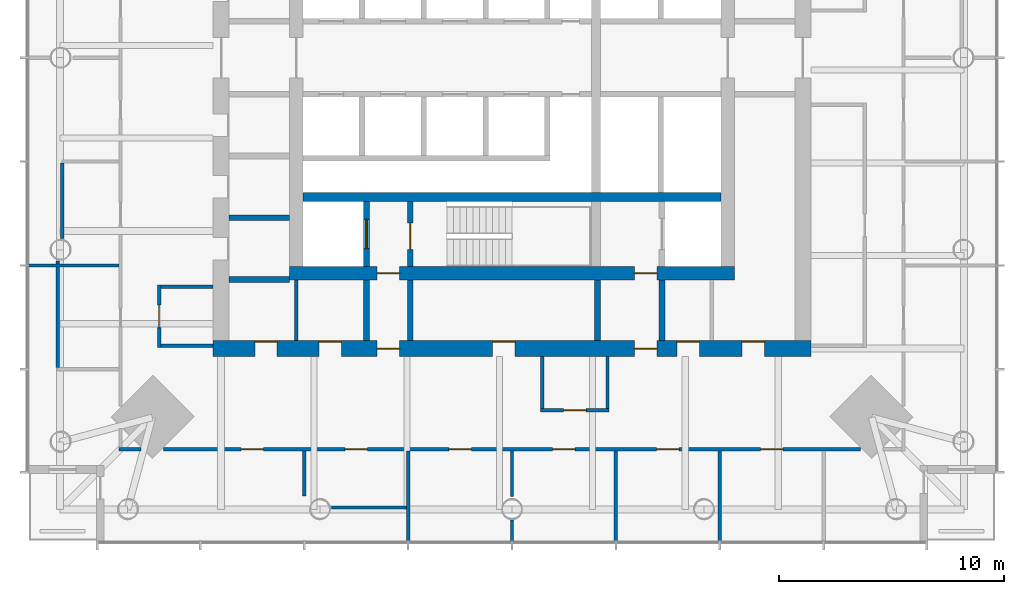
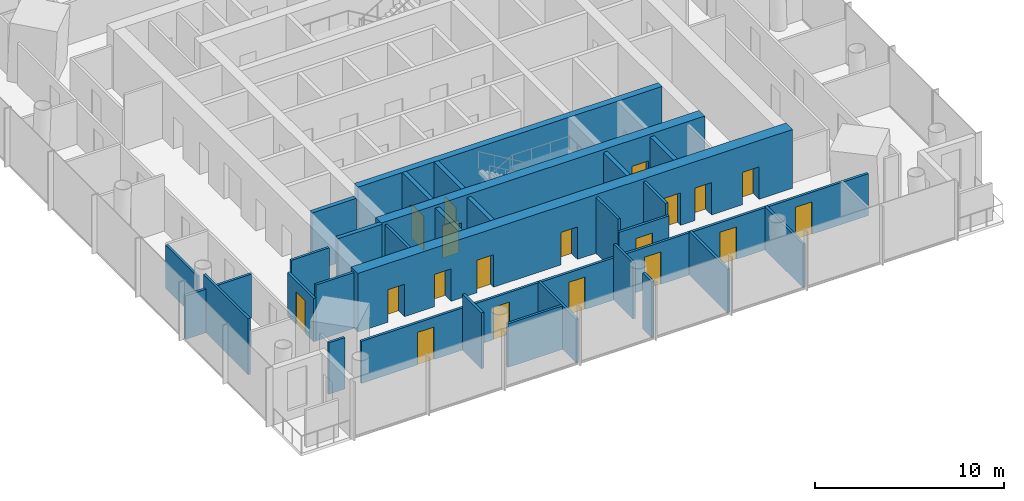
# One storey, part 4 of 9: 30 walls, 19 doors, 19 openings.
"""IFC4 building model written with IfcOpenShell, lengths in metres."""

import ifcopenshell
import ifcopenshell.guid

model = None  # the IFC model being written
_history = None  # IfcOwnerHistory: only IFC2X3 demands one
_inside = {}  # id of a spatial element -> (the spatial element, [elements in it])
_under = {}  # id of a project, library or spatial element -> (it, [spatial elements below it])
_declared = {}  # id of a project -> (the project, [libraries it declares])
_typed = {}  # id of a type object -> (the type object, [elements of that type])
_made_of = {}  # id of a material, layer set ... -> (it, [elements and type objects made of it])


def new_model(schema):
    """Start an empty IFC model of exactly this schema.

    Asked for "IFC4X3", IfcOpenShell would pick the latest addendum, in which some entities
    have other attributes; the version numbers below select the first issue.
    IFC2X3 requires an IfcOwnerHistory on every rooted entity: one is made here for all.
    """
    global model, _history
    if schema == "IFC4X3":
        model = ifcopenshell.file(schema_version=(4, 3, 0, 0))
    else:
        model = ifcopenshell.file(schema=schema)
    _inside.clear()
    _under.clear()
    _declared.clear()
    _typed.clear()
    _made_of.clear()
    _history = None
    if model.schema == "IFC2X3":
        org = make("IfcOrganization", Name="unknown")
        user = make(
            "IfcPersonAndOrganization",
            ThePerson=make("IfcPerson", FamilyName="unknown"),
            TheOrganization=org,
        )
        app = make(
            "IfcApplication",
            ApplicationDeveloper=org,
            Version="unknown",
            ApplicationFullName="unknown",
            ApplicationIdentifier="unknown",
        )
        _history = make(
            "IfcOwnerHistory",
            OwningUser=user,
            OwningApplication=app,
            ChangeAction="ADDED",
            CreationDate=0,
        )
    return model


def make(cls, **values):
    """One entity of the class cls with the attributes given. An attribute that is None is left unset."""
    return model.create_entity(
        cls, **{name: value for name, value in values.items() if value is not None}
    )


def rooted(cls, **values):
    """An entity with a GlobalId (a new one), such as an element, a storey or a relation."""
    return make(cls, GlobalId=ifcopenshell.guid.new(), OwnerHistory=_history, **values)


def si_unit(unit_type, name, prefix=None):
    """IfcSIUnit, for example si_unit("LENGTHUNIT", "METRE", prefix="MILLI")."""
    return make("IfcSIUnit", UnitType=unit_type, Prefix=prefix, Name=name)


def assignment(units):
    """IfcUnitAssignment: the units of a project."""
    return None if units is None else make("IfcUnitAssignment", Units=units)


def point(xyz):
    """IfcCartesianPoint."""
    return None if xyz is None else make("IfcCartesianPoint", Coordinates=xyz)


def direction(xyz):
    """IfcDirection."""
    return None if xyz is None else make("IfcDirection", DirectionRatios=xyz)


def frame(location, z_axis=None, x_axis=None):
    """IfcAxis2Placement3D, a coordinate frame: its origin and axes. An axis left out is left unset."""
    return make(
        "IfcAxis2Placement3D",
        Location=point(location),
        Axis=direction(z_axis),
        RefDirection=direction(x_axis),
    )


def frame_2d(location, x_axis=None):
    """IfcAxis2Placement2D, a coordinate frame in the plane: its origin and x axis."""
    return make(
        "IfcAxis2Placement2D", Location=point(location), RefDirection=direction(x_axis)
    )


def origin():
    """The frame at (0, 0, 0) with its axes left unset."""
    return frame((0.0, 0.0, 0.0))


def place(relative_to, where):
    """IfcLocalPlacement: puts the frame where relative to a parent placement (None: the world)."""
    return make(
        "IfcLocalPlacement", PlacementRelTo=relative_to, RelativePlacement=where
    )


def context(
    kind, dimensions, precision=None, world=None, true_north=None, identifier=None
):
    """IfcGeometricRepresentationContext, for example the 3D "Model" context."""
    return make(
        "IfcGeometricRepresentationContext",
        ContextIdentifier=identifier,
        ContextType=kind,
        CoordinateSpaceDimension=dimensions,
        Precision=precision,
        WorldCoordinateSystem=world,
        TrueNorth=true_north,
    )


def subcontext(parent, identifier, kind, view, scale=None):
    """IfcGeometricRepresentationSubContext, for example "Body" below "Model"."""
    return make(
        "IfcGeometricRepresentationSubContext",
        ContextIdentifier=identifier,
        ContextType=kind,
        ParentContext=parent,
        TargetScale=scale,
        TargetView=view,
    )


def project(units=None, contexts=None):
    """IfcProject with its units and contexts."""
    return rooted(
        "IfcProject",
        Name="project",
        RepresentationContexts=contexts,
        UnitsInContext=assignment(units),
    )


def spatial(cls, under=None, at=None, **own):
    """A site, building, storey or space (cls), placed at a placement, below another one or the project."""
    s = rooted(cls, ObjectPlacement=at, **own)
    if under is not None:
        _under.setdefault(under.id(), (under, []))[1].append(s)
    return s


def profile(cls, at=None, kind="AREA", **sizes):
    """A parametric profile (cls). Its sizes go by their IFC names, for example OverallWidth=200.0."""
    return make(cls, ProfileType=kind, Position=at, **sizes)


def rectangle(**sizes):
    """IfcRectangleProfileDef."""
    return profile("IfcRectangleProfileDef", **sizes)


def extrude(swept, where, along, depth):
    """IfcExtrudedAreaSolid: the profile swept, set in the frame where, extruded along a direction by depth."""
    return make(
        "IfcExtrudedAreaSolid",
        SweptArea=swept,
        Position=where,
        ExtrudedDirection=direction(along),
        Depth=depth,
    )


def shape(context_of_items, identifier, shape_type, items):
    """IfcShapeRepresentation: the items that make up one representation, for example the "Body"."""
    return make(
        "IfcShapeRepresentation",
        ContextOfItems=context_of_items,
        RepresentationIdentifier=identifier,
        RepresentationType=shape_type,
        Items=items,
    )


def material(Name=None, Category=None):
    """IfcMaterial."""
    return make("IfcMaterial", Name=Name, Category=Category)


def layer(
    of_material, thickness, ventilated=None, Name=None, Category=None, Priority=None
):
    """IfcMaterialLayer: one layer of a wall or slab, of a material (None: an air gap)."""
    return make(
        "IfcMaterialLayer",
        Material=of_material,
        LayerThickness=thickness,
        IsVentilated=ventilated,
        Name=Name,
        Category=Category,
        Priority=Priority,
    )


def layer_set(layers, Name=None):
    """IfcMaterialLayerSet."""
    return make("IfcMaterialLayerSet", MaterialLayers=layers, LayerSetName=Name)


def made_of(thing, what):
    """Note that an element or type object is made of a material, layer set ...; save() writes the relation."""
    if what is not None:
        _made_of.setdefault(what.id(), (what, []))[1].append(thing)
    return thing


def type_object(cls, material=None, **own):
    """A type object (cls), such as IfcWallType, which elements share."""
    return made_of(rooted(cls, **own), material)


def element(
    cls,
    number,
    at=None,
    inside=None,
    cuts=None,
    type_object=None,
    material=None,
    context=None,
    identifier="Body",
    shape_type=None,
    held_by="IfcProductDefinitionShape",
    body=None,
    shapes=None,
    **own,
):
    """One element of the class cls, such as IfcWall. Its Tag is "e" and its number.

    at: its placement. inside: the storey or other place that contains it. cuts: it is an
    opening in that element (IfcRelVoidsElement). A single representation is given by context,
    identifier, shape_type and body (its items); several are given by shapes. held_by: the class
    of the entity that holds the representations. save() writes the other relations.
    """
    e = rooted(cls, Tag="e%d" % number, ObjectPlacement=at, **own)
    if body is not None:
        shapes = [shape(context, identifier, shape_type, body)]
    if shapes is not None:
        e.Representation = make(held_by, Representations=shapes)
    if inside is not None:
        _inside.setdefault(inside.id(), (inside, []))[1].append(e)
    if cuts is not None:
        rooted(
            "IfcRelVoidsElement", RelatingBuildingElement=cuts, RelatedOpeningElement=e
        )
    if type_object is not None:
        _typed.setdefault(type_object.id(), (type_object, []))[1].append(e)
    return made_of(e, material)


def fill(opening, filler):
    """IfcRelFillsElement: the door or window that sits in an opening."""
    return rooted(
        "IfcRelFillsElement",
        RelatingOpeningElement=opening,
        RelatedBuildingElement=filler,
    )


def aggregate(whole, parts):
    """IfcRelAggregates: a whole, such as a stair, and the parts it consists of."""
    return rooted("IfcRelAggregates", RelatingObject=whole, RelatedObjects=parts)


def save(model, path):
    """Write the relations noted so far, then the file.

    IfcRelAggregates (storeys below a building ...), IfcRelContainedInSpatialStructure (elements
    in a storey), IfcRelDefinesByType, IfcRelAssociatesMaterial and IfcRelDeclares: one each for
    every whole, place, type object, material and project.
    """
    for whole, parts in _under.values():
        aggregate(whole, parts)
    for where, things in _inside.values():
        rooted(
            "IfcRelContainedInSpatialStructure",
            RelatedElements=things,
            RelatingStructure=where,
        )
    for kind, things in _typed.values():
        rooted("IfcRelDefinesByType", RelatedObjects=things, RelatingType=kind)
    for what, things in _made_of.values():
        rooted("IfcRelAssociatesMaterial", RelatedObjects=things, RelatingMaterial=what)
    for by, libraries in _declared.values():
        rooted("IfcRelDeclares", RelatingContext=by, RelatedDefinitions=libraries)
    model.write(path)


model = new_model("IFC4")

# Units and contexts
model_context = context("Model", 3, precision=1e-05, world=origin(), true_north=direction((0.0, 1.0)))
body_context = subcontext(model_context, "Body", "Model", "MODEL_VIEW")
ifc_project = project(units=[si_unit("LENGTHUNIT", "METRE"), si_unit("AREAUNIT", "SQUARE_METRE"), si_unit("VOLUMEUNIT", "CUBIC_METRE"), si_unit("PLANEANGLEUNIT", "RADIAN"), si_unit("MASSUNIT", "GRAM", prefix="KILO")], contexts=[model_context])

# Site, building, storey
site_placement = place(None, origin())
site = spatial("IfcSite", under=ifc_project, at=site_placement, CompositionType="ELEMENT")
building_placement = place(site_placement, origin())
building = spatial("IfcBuilding", under=site, at=building_placement, Name="Ostroluk Exchange", CompositionType="ELEMENT")
storey_placement = place(building_placement, frame((0.0, 0.0, 142.60009765625)))
storey = spatial("IfcBuildingStorey", under=building, at=storey_placement, Name="L36", CompositionType="ELEMENT", Elevation=142.60009765625)

# Walls
ifc_material_1 = material(Name="Concrete blockwork", Category="masonry")
ifc_layer_1 = layer(ifc_material_1, 0.14990234375)
ifc_layer_set_1 = layer_set([ifc_layer_1], Name="Blockwork plant room wall 150")
wall_type_1 = type_object("IfcWallType", Name="Blockwork plant room wall 150", PredefinedType="SOLIDWALL", material=ifc_layer_set_1)
wall_1_placement = place(storey_placement, frame((35.39990234375, 33.39990234375, 0.0), z_axis=(0.0, 0.0, 1.0), x_axis=(0.0, 1.0, 0.0)))
element("IfcWall", 1, at=wall_1_placement, inside=storey, type_object=wall_type_1, Name="Core room wall", PredefinedType="SOLIDWALL", context=body_context, shape_type="SweptSolid", body=[
    extrude(rectangle(XDim=2.7001953125, YDim=0.14990234375, at=frame_2d((1.35009765625, 0.0))), origin(), (0.0, 0.0, 1.0), 3.619873046875),
])
ifc_material_2 = material(Name="Concrete blockwork", Category="masonry")
ifc_layer_2 = layer(ifc_material_2, 0.25)
ifc_layer_set_2 = layer_set([ifc_layer_2], Name="Blockwork stair enclosure wall 250")
wall_type_2 = type_object("IfcWallType", Name="Blockwork stair enclosure wall 250", PredefinedType="SOLIDWALL", material=ifc_layer_set_2)
for number, where, z_axis, x_axis, name in (
    (2, (38.52490234375, 33.39990234375, 0.0), (0.0, 0.0, 1.0), (0.0, 1.0, 0.0), "Fire lobby enclosure wall"),
    (3, (40.47509765625, 33.39990234375, 0.0), (0.0, 0.0, 1.0), (0.0, 1.0, 0.0), "Fire lobby enclosure wall"),
    (4, (48.804931640625, 33.39990234375, 0.0), (0.0, 0.0, 1.0), (0.0, 1.0, 0.0), "Service lobby enclosure wall"),
    (5, (51.675048828125, 33.39990234375, 0.0), (0.0, 0.0, 1.0), (0.0, 1.0, 0.0), "Service lobby enclosure wall"),
):
    element("IfcWall", number, at=place(storey_placement, frame(where, z_axis=z_axis, x_axis=x_axis)), inside=storey, type_object=wall_type_2, Name=name, PredefinedType="SOLIDWALL", context=body_context, shape_type="SweptSolid", body=[
        extrude(rectangle(XDim=2.7001953125, YDim=0.25, at=frame_2d((1.35009765625, 0.0))), origin(), (0.0, 0.0, 1.0), 3.619873046875),
    ])
ifc_material_3 = material(Name="Concrete C50/60", Category="concrete")
ifc_layer_3 = layer(ifc_material_3, 0.39990234375)
ifc_layer_set_3 = layer_set([ifc_layer_3], Name="Core cross wall 400 C50/60")
wall_type_3 = type_object("IfcWallType", Name="Core cross wall 400 C50/60", PredefinedType="SHEAR", material=ifc_layer_set_3)
wall_2_placement = place(storey_placement, frame((35.699951171875, 39.800048828125, 0.0), z_axis=(0.0, 0.0, 1.0), x_axis=(1.0, 0.0, 0.0)))
element("IfcWall", 6, at=wall_2_placement, inside=storey, type_object=wall_type_3, Name="T1 core wall XS", PredefinedType="SHEAR", context=body_context, shape_type="SweptSolid", body=[
    extrude(rectangle(XDim=18.60009765625, YDim=0.39990234375, at=frame_2d((9.300048828125, 0.0))), origin(), (0.0, 0.0, 1.0), 3.7998046875),
])

# Wall, opening, door
ifc_material_4 = material(Name="Concrete C40/50", Category="concrete")
ifc_layer_4 = layer(ifc_material_4, 0.25)
ifc_layer_set_4 = layer_set([ifc_layer_4], Name="Core shaft wall 250")
wall_type_4 = type_object("IfcWallType", Name="Core shaft wall 250", PredefinedType="SHEAR", material=ifc_layer_set_4)
wall_3_placement = place(storey_placement, frame((38.52490234375, 36.699951171875, 0.0), z_axis=(0.0, 0.0, 1.0), x_axis=(0.0, 1.0, 0.0)))
wall_3 = element("IfcWall", 7, at=wall_3_placement, inside=storey, type_object=wall_type_4, Name="Firefighting lift shaft wall", PredefinedType="SHEAR", context=body_context, shape_type="SweptSolid", body=[
    extrude(rectangle(XDim=2.900146484375, YDim=0.25, at=frame_2d((1.4501953125, 0.0))), origin(), (0.0, 0.0, 1.0), 3.7998046875),
])
opening_1_placement = place(wall_3_placement, frame((0.800048828125, 0.0, 0.0)))
opening_1 = element("IfcOpeningElement", 8, at=opening_1_placement, cuts=wall_3, Name="Opening LD2", PredefinedType="OPENING", context=body_context, shape_type="SweptSolid", body=[
    extrude(rectangle(XDim=1.300048828125, YDim=2.199951171875, at=frame_2d((0.64990234375, 1.10009765625))), frame((0.0, 0.135009765625, 0.0), z_axis=(0.0, -1.0, 0.0), x_axis=(1.0, 0.0, 0.0)), (0.0, 0.0, 1.0), 0.27001953125),
])
ifc_material_5 = material(Name="Stainless steel", Category="steel")
door_type_1 = type_object("IfcDoorType", Name="Lift landing door E 60 1300 x 2200", OperationType="DOUBLE_DOOR_SLIDING", PredefinedType="DOOR", material=ifc_material_5)
door_1_placement = place(opening_1_placement, origin())
door_1 = element("IfcDoor", 9, at=door_1_placement, inside=storey, type_object=door_type_1, Name="Lift FL1 landing door", OperationType="DOUBLE_DOOR_SLIDING", OverallHeight=2.199951171875, OverallWidth=1.300048828125, PredefinedType="DOOR", context=body_context, shape_type="SweptSolid", body=[
    extrude(rectangle(XDim=1.300048828125, YDim=2.199951171875, at=frame_2d((0.64990234375, 1.10009765625))), frame((0.0, 0.02490234375, 0.0), z_axis=(0.0, -1.0, 0.0), x_axis=(1.0, 0.0, 0.0)), (0.0, 0.0, 1.0), 0.050048828125),
])
fill(opening_1, door_1)

wall_4_placement = place(storey_placement, frame((40.47509765625, 36.699951171875, 0.0), z_axis=(0.0, 0.0, 1.0), x_axis=(0.0, 1.0, 0.0)))
wall_4 = element("IfcWall", 10, at=wall_4_placement, inside=storey, type_object=wall_type_4, Name="Stair shaft wall", PredefinedType="SHEAR", context=body_context, shape_type="SweptSolid", body=[
    extrude(rectangle(XDim=2.900146484375, YDim=0.25, at=frame_2d((1.4501953125, 0.0))), origin(), (0.0, 0.0, 1.0), 3.7998046875),
])
opening_2_placement = place(wall_4_placement, frame((0.75, 0.0, 0.0)))
opening_2 = element("IfcOpeningElement", 11, at=opening_2_placement, cuts=wall_4, Name="Opening FD60S", PredefinedType="OPENING", context=body_context, shape_type="SweptSolid", body=[
    extrude(rectangle(XDim=1.199951171875, YDim=2.10009765625, at=frame_2d((0.60009765625, 1.050048828125))), frame((0.0, 0.135009765625, 0.0), z_axis=(0.0, -1.0, 0.0), x_axis=(1.0, 0.0, 0.0)), (0.0, 0.0, 1.0), 0.27001953125),
])
ifc_material_6 = material(Name="Steel", Category="steel")
door_type_2 = type_object("IfcDoorType", Name="Stair door EI 60 1200 x 2100", OperationType="SINGLE_SWING_LEFT", PredefinedType="DOOR", material=ifc_material_6)
door_2_placement = place(opening_2_placement, origin())
door_2 = element("IfcDoor", 12, at=door_2_placement, inside=storey, type_object=door_type_2, Name="Stair T1-S1 door", OperationType="SINGLE_SWING_LEFT", OverallHeight=2.10009765625, OverallWidth=1.199951171875, PredefinedType="DOOR", context=body_context, shape_type="SweptSolid", body=[
    extrude(rectangle(XDim=1.199951171875, YDim=2.10009765625, at=frame_2d((0.60009765625, 1.050048828125))), frame((0.0, 0.02490234375, 0.0), z_axis=(0.0, -1.0, 0.0), x_axis=(1.0, 0.0, 0.0)), (0.0, 0.0, 1.0), 0.050048828125),
])
fill(opening_2, door_2)

# Walls
for number, where, z_axis, x_axis, name in (
    (13, (32.39990234375, 36.125, 0.0), (0.0, 0.0, 1.0), (1.0, 0.0, 0.0), "Lift shaft wall"),
    (14, (32.39990234375, 38.875, 0.0), (0.0, 0.0, 1.0), (1.0, 0.0, 0.0), "Lift shaft wall"),
):
    element("IfcWall", number, at=place(storey_placement, frame(where, z_axis=z_axis, x_axis=x_axis)), inside=storey, type_object=wall_type_4, Name=name, PredefinedType="SHEAR", context=body_context, shape_type="SweptSolid", body=[
        extrude(rectangle(XDim=2.7001953125, YDim=0.25, at=frame_2d((1.35009765625, 0.0))), origin(), (0.0, 0.0, 1.0), 3.7998046875),
    ])

# Wall, openings, doors
ifc_material_7 = material(Name="Concrete C50/60", Category="concrete")
ifc_layer_5 = layer(ifc_material_7, 0.60009765625)
ifc_layer_set_5 = layer_set([ifc_layer_5], Name="Core wall 600 C50/60")
wall_type_5 = type_object("IfcWallType", Name="Core wall 600 C50/60", PredefinedType="SHEAR", material=ifc_layer_set_5)
wall_5_placement = place(storey_placement, frame((35.10009765625, 36.39990234375, 0.0), z_axis=(0.0, 0.0, 1.0), x_axis=(1.0, 0.0, 0.0)))
wall_5 = element("IfcWall", 15, at=wall_5_placement, inside=storey, type_object=wall_type_5, Name="T1 core wall S", PredefinedType="SHEAR", context=body_context, shape_type="SweptSolid", body=[
    extrude(rectangle(XDim=19.7998046875, YDim=0.60009765625, at=frame_2d((9.89990234375, 0.0))), origin(), (0.0, 0.0, 1.0), 3.7998046875),
])
opening_3_placement = place(wall_5_placement, frame((3.89990234375, 0.0, 0.0)))
opening_3 = element("IfcOpeningElement", 16, at=opening_3_placement, cuts=wall_5, Name="Opening FD60", PredefinedType="OPENING", context=body_context, shape_type="SweptSolid", body=[
    extrude(rectangle(XDim=1.0, YDim=2.10009765625, at=frame_2d((0.5, 1.050048828125))), frame((0.0, 0.31005859375, 0.0), z_axis=(0.0, -1.0, 0.0), x_axis=(1.0, 0.0, 0.0)), (0.0, 0.0, 1.0), 0.6201171875),
])
opening_4_placement = place(wall_5_placement, frame((15.35009765625, 0.0, 0.0)))
opening_4 = element("IfcOpeningElement", 17, at=opening_4_placement, cuts=wall_5, Name="Opening FD60", PredefinedType="OPENING", context=body_context, shape_type="SweptSolid", body=[
    extrude(rectangle(XDim=1.0, YDim=2.10009765625, at=frame_2d((0.5, 1.050048828125))), frame((0.0, 0.31005859375, 0.0), z_axis=(0.0, -1.0, 0.0), x_axis=(1.0, 0.0, 0.0)), (0.0, 0.0, 1.0), 0.6201171875),
])
ifc_material_8 = material(Name="Steel", Category="steel")
door_type_3 = type_object("IfcDoorType", Name="Fire door EI 60 1000 x 2100", OperationType="SINGLE_SWING_LEFT", PredefinedType="DOOR", material=ifc_material_8)
door_3_placement = place(opening_3_placement, origin())
door_3 = element("IfcDoor", 18, at=door_3_placement, inside=storey, type_object=door_type_3, Name="Firefighting lobby door", OperationType="SINGLE_SWING_LEFT", OverallHeight=2.10009765625, OverallWidth=1.0, PredefinedType="DOOR", context=body_context, shape_type="SweptSolid", body=[
    extrude(rectangle(XDim=1.0, YDim=2.10009765625, at=frame_2d((0.5, 1.050048828125))), frame((0.0, 0.02490234375, 0.0), z_axis=(0.0, -1.0, 0.0), x_axis=(1.0, 0.0, 0.0)), (0.0, 0.0, 1.0), 0.050048828125),
])
fill(opening_3, door_3)
door_4_placement = place(opening_4_placement, origin())
door_4 = element("IfcDoor", 19, at=door_4_placement, inside=storey, type_object=door_type_3, Name="Service lobby door", OperationType="SINGLE_SWING_RIGHT", OverallHeight=2.10009765625, OverallWidth=1.0, PredefinedType="DOOR", context=body_context, shape_type="SweptSolid", body=[
    extrude(rectangle(XDim=1.0, YDim=2.10009765625, at=frame_2d((0.5, 1.050048828125))), frame((0.0, 0.02490234375, 0.0), z_axis=(0.0, -1.0, 0.0), x_axis=(1.0, 0.0, 0.0)), (0.0, 0.0, 1.0), 0.050048828125),
])
fill(opening_4, door_4)

ifc_material_9 = material(Name="Concrete C50/60", Category="concrete")
ifc_layer_6 = layer(ifc_material_9, 0.699951171875)
ifc_layer_set_6 = layer_set([ifc_layer_6], Name="Core wall 700 C50/60")
wall_type_6 = type_object("IfcWallType", Name="Core wall 700 C50/60", PredefinedType="SHEAR", material=ifc_layer_set_6)
wall_6_placement = place(storey_placement, frame((31.699951171875, 33.050048828125, 0.0), z_axis=(0.0, 0.0, 1.0), x_axis=(1.0, 0.0, 0.0)))
wall_6 = element("IfcWall", 20, at=wall_6_placement, inside=storey, type_object=wall_type_6, Name="T1 core wall RS", PredefinedType="SHEAR", context=body_context, shape_type="SweptSolid", body=[
    extrude(rectangle(XDim=26.60009765625, YDim=0.699951171875, at=frame_2d((13.300048828125, 0.0))), origin(), (0.0, 0.0, 1.0), 3.7998046875),
])
opening_5_placement = place(wall_6_placement, frame((7.300048828125, 0.0, 0.0)))
opening_5 = element("IfcOpeningElement", 21, at=opening_5_placement, cuts=wall_6, Name="Opening FD60", PredefinedType="OPENING", context=body_context, shape_type="SweptSolid", body=[
    extrude(rectangle(XDim=1.0, YDim=2.10009765625, at=frame_2d((0.5, 1.050048828125))), frame((0.0, 0.35986328125, 0.0), z_axis=(0.0, -1.0, 0.0), x_axis=(1.0, 0.0, 0.0)), (0.0, 0.0, 1.0), 0.719970703125),
])
opening_6_placement = place(wall_6_placement, frame((18.75, 0.0, 0.0)))
opening_6 = element("IfcOpeningElement", 22, at=opening_6_placement, cuts=wall_6, Name="Opening FD60", PredefinedType="OPENING", context=body_context, shape_type="SweptSolid", body=[
    extrude(rectangle(XDim=1.0, YDim=2.10009765625, at=frame_2d((0.5, 1.050048828125))), frame((0.0, 0.35986328125, 0.0), z_axis=(0.0, -1.0, 0.0), x_axis=(1.0, 0.0, 0.0)), (0.0, 0.0, 1.0), 0.719970703125),
])
opening_7_placement = place(wall_6_placement, frame((1.85009765625, 0.0, 0.0)))
opening_7 = element("IfcOpeningElement", 23, at=opening_7_placement, cuts=wall_6, Name="Opening FD60", PredefinedType="OPENING", context=body_context, shape_type="SweptSolid", body=[
    extrude(rectangle(XDim=1.0, YDim=2.10009765625, at=frame_2d((0.5, 1.050048828125))), frame((0.0, 0.35986328125, 0.0), z_axis=(0.0, -1.0, 0.0), x_axis=(1.0, 0.0, 0.0)), (0.0, 0.0, 1.0), 0.719970703125),
])
opening_8_placement = place(wall_6_placement, frame((4.699951171875, 0.0, 0.0)))
opening_8 = element("IfcOpeningElement", 24, at=opening_8_placement, cuts=wall_6, Name="Opening FD60", PredefinedType="OPENING", context=body_context, shape_type="SweptSolid", body=[
    extrude(rectangle(XDim=1.0, YDim=2.10009765625, at=frame_2d((0.5, 1.050048828125))), frame((0.0, 0.35986328125, 0.0), z_axis=(0.0, -1.0, 0.0), x_axis=(1.0, 0.0, 0.0)), (0.0, 0.0, 1.0), 0.719970703125),
])
opening_9_placement = place(wall_6_placement, frame((12.43994140625, 0.0, 0.0)))
opening_9 = element("IfcOpeningElement", 25, at=opening_9_placement, cuts=wall_6, Name="Opening FD60", PredefinedType="OPENING", context=body_context, shape_type="SweptSolid", body=[
    extrude(rectangle(XDim=1.0, YDim=2.10009765625, at=frame_2d((0.5, 1.050048828125))), frame((0.0, 0.35986328125, 0.0), z_axis=(0.0, -1.0, 0.0), x_axis=(1.0, 0.0, 0.0)), (0.0, 0.0, 1.0), 0.719970703125),
])
opening_10_placement = place(wall_6_placement, frame((20.64404296875, 0.0, 0.0)))
opening_10 = element("IfcOpeningElement", 26, at=opening_10_placement, cuts=wall_6, Name="Opening FD60", PredefinedType="OPENING", context=body_context, shape_type="SweptSolid", body=[
    extrude(rectangle(XDim=1.0, YDim=2.10009765625, at=frame_2d((0.5, 1.050048828125))), frame((0.0, 0.35986328125, 0.0), z_axis=(0.0, -1.0, 0.0), x_axis=(1.0, 0.0, 0.0)), (0.0, 0.0, 1.0), 0.719970703125),
])
opening_11_placement = place(wall_6_placement, frame((23.5439453125, 0.0, 0.0)))
opening_11 = element("IfcOpeningElement", 27, at=opening_11_placement, cuts=wall_6, Name="Opening FD60", PredefinedType="OPENING", context=body_context, shape_type="SweptSolid", body=[
    extrude(rectangle(XDim=1.0, YDim=2.10009765625, at=frame_2d((0.5, 1.050048828125))), frame((0.0, 0.35986328125, 0.0), z_axis=(0.0, -1.0, 0.0), x_axis=(1.0, 0.0, 0.0)), (0.0, 0.0, 1.0), 0.719970703125),
])
door_5_placement = place(opening_5_placement, origin())
door_5 = element("IfcDoor", 28, at=door_5_placement, inside=storey, type_object=door_type_3, Name="Firefighting lobby door", OperationType="SINGLE_SWING_LEFT", OverallHeight=2.10009765625, OverallWidth=1.0, PredefinedType="DOOR", context=body_context, shape_type="SweptSolid", body=[
    extrude(rectangle(XDim=1.0, YDim=2.10009765625, at=frame_2d((0.5, 1.050048828125))), frame((0.0, 0.02490234375, 0.0), z_axis=(0.0, -1.0, 0.0), x_axis=(1.0, 0.0, 0.0)), (0.0, 0.0, 1.0), 0.050048828125),
])
fill(opening_5, door_5)
door_6_placement = place(opening_6_placement, origin())
door_6 = element("IfcDoor", 29, at=door_6_placement, inside=storey, type_object=door_type_3, Name="Service lobby door", OperationType="SINGLE_SWING_RIGHT", OverallHeight=2.10009765625, OverallWidth=1.0, PredefinedType="DOOR", context=body_context, shape_type="SweptSolid", body=[
    extrude(rectangle(XDim=1.0, YDim=2.10009765625, at=frame_2d((0.5, 1.050048828125))), frame((0.0, 0.02490234375, 0.0), z_axis=(0.0, -1.0, 0.0), x_axis=(1.0, 0.0, 0.0)), (0.0, 0.0, 1.0), 0.050048828125),
])
fill(opening_6, door_6)
door_7_placement = place(opening_7_placement, origin())
door_7 = element("IfcDoor", 30, at=door_7_placement, inside=storey, type_object=door_type_3, Name="Archive door", OperationType="SINGLE_SWING_LEFT", OverallHeight=2.10009765625, OverallWidth=1.0, PredefinedType="DOOR", context=body_context, shape_type="SweptSolid", body=[
    extrude(rectangle(XDim=1.0, YDim=2.10009765625, at=frame_2d((0.5, 1.050048828125))), frame((0.0, 0.33984375, 0.0), z_axis=(0.0, -1.0, 0.0), x_axis=(1.0, 0.0, 0.0)), (0.0, 0.0, 1.0), 0.050048828125),
])
fill(opening_7, door_7)
door_8_placement = place(opening_8_placement, origin())
door_8 = element("IfcDoor", 31, at=door_8_placement, inside=storey, type_object=door_type_3, Name="Tenant IT room door", OperationType="SINGLE_SWING_LEFT", OverallHeight=2.10009765625, OverallWidth=1.0, PredefinedType="DOOR", context=body_context, shape_type="SweptSolid", body=[
    extrude(rectangle(XDim=1.0, YDim=2.10009765625, at=frame_2d((0.5, 1.050048828125))), frame((0.0, 0.33984375, 0.0), z_axis=(0.0, -1.0, 0.0), x_axis=(1.0, 0.0, 0.0)), (0.0, 0.0, 1.0), 0.050048828125),
])
fill(opening_8, door_8)
door_9_placement = place(opening_9_placement, origin())
door_9 = element("IfcDoor", 32, at=door_9_placement, inside=storey, type_object=door_type_3, Name="Tea point door", OperationType="SINGLE_SWING_LEFT", OverallHeight=2.10009765625, OverallWidth=1.0, PredefinedType="DOOR", context=body_context, shape_type="SweptSolid", body=[
    extrude(rectangle(XDim=1.0, YDim=2.10009765625, at=frame_2d((0.5, 1.050048828125))), frame((0.0, 0.33984375, 0.0), z_axis=(0.0, -1.0, 0.0), x_axis=(1.0, 0.0, 0.0)), (0.0, 0.0, 1.0), 0.050048828125),
])
fill(opening_9, door_9)
door_10_placement = place(opening_10_placement, origin())
door_10 = element("IfcDoor", 33, at=door_10_placement, inside=storey, type_object=door_type_3, Name="Cleaner's store door", OperationType="SINGLE_SWING_RIGHT", OverallHeight=2.10009765625, OverallWidth=1.0, PredefinedType="DOOR", context=body_context, shape_type="SweptSolid", body=[
    extrude(rectangle(XDim=1.0, YDim=2.10009765625, at=frame_2d((0.5, 1.050048828125))), frame((0.0, 0.33984375, 0.0), z_axis=(0.0, -1.0, 0.0), x_axis=(1.0, 0.0, 0.0)), (0.0, 0.0, 1.0), 0.050048828125),
])
fill(opening_10, door_10)
door_11_placement = place(opening_11_placement, origin())
door_11 = element("IfcDoor", 34, at=door_11_placement, inside=storey, type_object=door_type_3, Name="First aid room door", OperationType="SINGLE_SWING_RIGHT", OverallHeight=2.10009765625, OverallWidth=1.0, PredefinedType="DOOR", context=body_context, shape_type="SweptSolid", body=[
    extrude(rectangle(XDim=1.0, YDim=2.10009765625, at=frame_2d((0.5, 1.050048828125))), frame((0.0, 0.33984375, 0.0), z_axis=(0.0, -1.0, 0.0), x_axis=(1.0, 0.0, 0.0)), (0.0, 0.0, 1.0), 0.050048828125),
])
fill(opening_11, door_11)

# Wall, opening, door
ifc_material_10 = material(Name="Gypsum plasterboard partition", Category="gypsum")
ifc_layer_7 = layer(ifc_material_10, 0.14990234375)
ifc_layer_set_7 = layer_set([ifc_layer_7], Name="Plasterboard partition 150")
wall_type_7 = type_object("IfcWallType", Name="Plasterboard partition 150", PredefinedType="PARTITIONING", material=ifc_layer_set_7)
wall_7_placement = place(storey_placement, frame((29.300048828125, 35.875, 0.0), z_axis=(0.0, 0.0, 1.0), x_axis=(0.0, -1.0, 0.0)))
wall_7 = element("IfcWall", 35, at=wall_7_placement, inside=storey, type_object=wall_type_7, Name="Partition", PredefinedType="PARTITIONING", context=body_context, shape_type="SweptSolid", body=[
    extrude(rectangle(XDim=2.77490234375, YDim=0.14990234375, at=frame_2d((1.387451171875, 0.0))), origin(), (0.0, 0.0, 1.0), 2.805908203125),
])
opening_12_placement = place(wall_7_placement, frame((0.887451171875, 0.0, 0.0)))
opening_12 = element("IfcOpeningElement", 36, at=opening_12_placement, cuts=wall_7, Name="Opening D-03", PredefinedType="OPENING", context=body_context, shape_type="SweptSolid", body=[
    extrude(rectangle(XDim=1.0, YDim=2.10009765625, at=frame_2d((0.5, 1.050048828125))), frame((0.0, 0.0849609375, 0.0), z_axis=(0.0, -1.0, 0.0), x_axis=(1.0, 0.0, 0.0)), (0.0, 0.0, 1.0), 0.169921875),
])
ifc_material_11 = material(Name="Timber", Category="wood")
door_type_4 = type_object("IfcDoorType", Name="Internal door 1000 x 2100", OperationType="SINGLE_SWING_LEFT", PredefinedType="DOOR", material=ifc_material_11)
door_12_placement = place(opening_12_placement, origin())
door_12 = element("IfcDoor", 37, at=door_12_placement, inside=storey, type_object=door_type_4, Name="Meeting room door", OperationType="SINGLE_SWING_RIGHT", OverallHeight=2.10009765625, OverallWidth=1.0, PredefinedType="DOOR", context=body_context, shape_type="SweptSolid", body=[
    extrude(rectangle(XDim=1.0, YDim=2.10009765625, at=frame_2d((0.5, 1.050048828125))), frame((0.0, 0.02490234375, 0.0), z_axis=(0.0, -1.0, 0.0), x_axis=(1.0, 0.0, 0.0)), (0.0, 0.0, 1.0), 0.050048828125),
])
fill(opening_12, door_12)

# Walls
for number, where, z_axis, x_axis, name in (
    (38, (31.699951171875, 35.800048828125, 0.0), (0.0, 0.0, 1.0), (-1.0, 0.0, 0.0), "Partition"),
    (39, (31.699951171875, 33.175048828125, 0.0), (0.0, 0.0, 1.0), (-1.0, 0.0, 0.0), "Partition"),
):
    element("IfcWall", number, at=place(storey_placement, frame(where, z_axis=z_axis, x_axis=x_axis)), inside=storey, type_object=wall_type_7, Name=name, PredefinedType="PARTITIONING", context=body_context, shape_type="SweptSolid", body=[
        extrude(rectangle(XDim=2.324951171875, YDim=0.14990234375, at=frame_2d((1.16259765625, 0.0))), origin(), (0.0, 0.0, 1.0), 3.619873046875),
    ])

# Wall, opening, door
wall_8_placement = place(storey_placement, frame((46.264892578125, 30.300048828125, 0.0), z_axis=(0.0, 0.0, 1.0), x_axis=(1.0, 0.0, 0.0)))
wall_8 = element("IfcWall", 40, at=wall_8_placement, inside=storey, type_object=wall_type_7, Name="Partition", PredefinedType="PARTITIONING", context=body_context, shape_type="SweptSolid", body=[
    extrude(rectangle(XDim=3.06005859375, YDim=0.14990234375, at=frame_2d((1.530029296875, 0.0))), origin(), (0.0, 0.0, 1.0), 2.85791015625),
])
opening_13_placement = place(wall_8_placement, frame((1.030029296875, 0.0, 0.0)))
opening_13 = element("IfcOpeningElement", 41, at=opening_13_placement, cuts=wall_8, Name="Opening D-03", PredefinedType="OPENING", context=body_context, shape_type="SweptSolid", body=[
    extrude(rectangle(XDim=1.0, YDim=2.10009765625, at=frame_2d((0.5, 1.050048828125))), frame((0.0, 0.0849609375, 0.0), z_axis=(0.0, -1.0, 0.0), x_axis=(1.0, 0.0, 0.0)), (0.0, 0.0, 1.0), 0.169921875),
])
door_13_placement = place(opening_13_placement, origin())
door_13 = element("IfcDoor", 42, at=door_13_placement, inside=storey, type_object=door_type_4, Name="Quiet room door", OperationType="SINGLE_SWING_LEFT", OverallHeight=2.10009765625, OverallWidth=1.0, PredefinedType="DOOR", context=body_context, shape_type="SweptSolid", body=[
    extrude(rectangle(XDim=1.0, YDim=2.10009765625, at=frame_2d((0.5, 1.050048828125))), frame((0.0, 0.02490234375, 0.0), z_axis=(0.0, -1.0, 0.0), x_axis=(1.0, 0.0, 0.0)), (0.0, 0.0, 1.0), 0.050048828125),
])
fill(opening_13, door_13)

# Walls
for number, where, z_axis, x_axis, name in (
    (43, (46.340087890625, 32.699951171875, 0.0), (0.0, 0.0, 1.0), (0.0, -1.0, 0.0), "Partition"),
    (44, (49.25, 32.699951171875, 0.0), (0.0, 0.0, 1.0), (0.0, -1.0, 0.0), "Partition"),
):
    element("IfcWall", number, at=place(storey_placement, frame(where, z_axis=z_axis, x_axis=x_axis)), inside=storey, type_object=wall_type_7, Name=name, PredefinedType="PARTITIONING", context=body_context, shape_type="SweptSolid", body=[
        extrude(rectangle(XDim=2.324951171875, YDim=0.14990234375, at=frame_2d((1.16259765625, 0.0))), origin(), (0.0, 0.0, 1.0), 3.619873046875),
    ])
wall_9_placement = place(storey_placement, frame((27.5, 36.75, 0.0), z_axis=(0.0, 0.0, 1.0), x_axis=(-1.0, 0.0, 0.0)))
element("IfcWall", 45, at=wall_9_placement, inside=storey, type_object=wall_type_7, Name="Partition", PredefinedType="PARTITIONING", context=body_context, shape_type="SweptSolid", body=[
    extrude(rectangle(XDim=4.0400390625, YDim=0.14990234375, at=frame_2d((2.02001953125, 0.0))), origin(), (0.0, 0.0, 1.0), 2.81982421875),
])
wall_10_placement = place(storey_placement, frame((36.96044921875, 25.97509765625, 0.0), z_axis=(0.0, 0.0, 1.0), x_axis=(1.0, 0.0, 0.0)))
element("IfcWall", 46, at=wall_10_placement, inside=storey, type_object=wall_type_7, Name="Partition", PredefinedType="PARTITIONING", context=body_context, shape_type="SweptSolid", body=[
    extrude(rectangle(XDim=3.339599609375, YDim=0.14990234375, at=frame_2d((1.669921875, 0.0))), origin(), (0.0, 0.0, 1.0), 2.81982421875),
])
wall_11_placement = place(storey_placement, frame((27.5, 28.574951171875, 0.0), z_axis=(0.0, 0.0, 1.0), x_axis=(1.0, 0.0, 0.0)))
element("IfcWall", 47, at=wall_11_placement, inside=storey, type_object=wall_type_7, Name="Partition", PredefinedType="PARTITIONING", context=body_context, shape_type="SweptSolid", body=[
    extrude(rectangle(XDim=0.98291015625, YDim=0.14990234375, at=frame_2d((0.491455078125, 0.0))), origin(), (0.0, 0.0, 1.0), 3.31982421875),
])

# Wall, openings, doors
wall_12_placement = place(storey_placement, frame((29.488525390625, 28.574951171875, 0.0), z_axis=(0.0, 0.0, 1.0), x_axis=(1.0, 0.0, 0.0)))
wall_12 = element("IfcWall", 48, at=wall_12_placement, inside=storey, type_object=wall_type_7, Name="Partition", PredefinedType="PARTITIONING", context=body_context, shape_type="SweptSolid", body=[
    extrude(rectangle(XDim=31.02294921875, YDim=0.14990234375, at=frame_2d((15.511474609375, 0.0))), origin(), (0.0, 0.0, 1.0), 2.719970703125),
])
opening_14_placement = place(wall_12_placement, frame((3.448974609375, 0.0, 0.0)))
opening_14 = element("IfcOpeningElement", 49, at=opening_14_placement, cuts=wall_12, Name="Opening D-03", PredefinedType="OPENING", context=body_context, shape_type="SweptSolid", body=[
    extrude(rectangle(XDim=1.0, YDim=2.10009765625, at=frame_2d((0.5, 1.050048828125))), frame((0.0, 0.0849609375, 0.0), z_axis=(0.0, -1.0, 0.0), x_axis=(1.0, 0.0, 0.0)), (0.0, 0.0, 1.0), 0.169921875),
])
opening_15_placement = place(wall_12_placement, frame((8.073974609375, 0.0, 0.0)))
opening_15 = element("IfcOpeningElement", 50, at=opening_15_placement, cuts=wall_12, Name="Opening D-03", PredefinedType="OPENING", context=body_context, shape_type="SweptSolid", body=[
    extrude(rectangle(XDim=1.0, YDim=2.10009765625, at=frame_2d((0.5, 1.050048828125))), frame((0.0, 0.0849609375, 0.0), z_axis=(0.0, -1.0, 0.0), x_axis=(1.0, 0.0, 0.0)), (0.0, 0.0, 1.0), 0.169921875),
])
opening_16_placement = place(wall_12_placement, frame((12.698974609375, 0.0, 0.0)))
opening_16 = element("IfcOpeningElement", 51, at=opening_16_placement, cuts=wall_12, Name="Opening D-03", PredefinedType="OPENING", context=body_context, shape_type="SweptSolid", body=[
    extrude(rectangle(XDim=1.0, YDim=2.10009765625, at=frame_2d((0.5, 1.050048828125))), frame((0.0, 0.0849609375, 0.0), z_axis=(0.0, -1.0, 0.0), x_axis=(1.0, 0.0, 0.0)), (0.0, 0.0, 1.0), 0.169921875),
])
opening_17_placement = place(wall_12_placement, frame((17.323974609375, 0.0, 0.0)))
opening_17 = element("IfcOpeningElement", 52, at=opening_17_placement, cuts=wall_12, Name="Opening D-03", PredefinedType="OPENING", context=body_context, shape_type="SweptSolid", body=[
    extrude(rectangle(XDim=1.0, YDim=2.10009765625, at=frame_2d((0.5, 1.050048828125))), frame((0.0, 0.0849609375, 0.0), z_axis=(0.0, -1.0, 0.0), x_axis=(1.0, 0.0, 0.0)), (0.0, 0.0, 1.0), 0.169921875),
])
opening_18_placement = place(wall_12_placement, frame((21.948974609375, 0.0, 0.0)))
opening_18 = element("IfcOpeningElement", 53, at=opening_18_placement, cuts=wall_12, Name="Opening D-03", PredefinedType="OPENING", context=body_context, shape_type="SweptSolid", body=[
    extrude(rectangle(XDim=1.0, YDim=2.10009765625, at=frame_2d((0.5, 1.050048828125))), frame((0.0, 0.0849609375, 0.0), z_axis=(0.0, -1.0, 0.0), x_axis=(1.0, 0.0, 0.0)), (0.0, 0.0, 1.0), 0.169921875),
])
opening_19_placement = place(wall_12_placement, frame((26.573974609375, 0.0, 0.0)))
opening_19 = element("IfcOpeningElement", 54, at=opening_19_placement, cuts=wall_12, Name="Opening D-03", PredefinedType="OPENING", context=body_context, shape_type="SweptSolid", body=[
    extrude(rectangle(XDim=1.0, YDim=2.10009765625, at=frame_2d((0.5, 1.050048828125))), frame((0.0, 0.0849609375, 0.0), z_axis=(0.0, -1.0, 0.0), x_axis=(1.0, 0.0, 0.0)), (0.0, 0.0, 1.0), 0.169921875),
])
door_14_placement = place(opening_14_placement, origin())
door_14 = element("IfcDoor", 55, at=door_14_placement, inside=storey, type_object=door_type_4, Name="Office suite door", OperationType="SINGLE_SWING_LEFT", OverallHeight=2.10009765625, OverallWidth=1.0, PredefinedType="DOOR", context=body_context, shape_type="SweptSolid", body=[
    extrude(rectangle(XDim=1.0, YDim=2.10009765625, at=frame_2d((0.5, 1.050048828125))), frame((0.0, 0.02490234375, 0.0), z_axis=(0.0, -1.0, 0.0), x_axis=(1.0, 0.0, 0.0)), (0.0, 0.0, 1.0), 0.050048828125),
])
fill(opening_14, door_14)
door_15_placement = place(opening_15_placement, origin())
door_15 = element("IfcDoor", 56, at=door_15_placement, inside=storey, type_object=door_type_4, Name="Pantry door", OperationType="SINGLE_SWING_LEFT", OverallHeight=2.10009765625, OverallWidth=1.0, PredefinedType="DOOR", context=body_context, shape_type="SweptSolid", body=[
    extrude(rectangle(XDim=1.0, YDim=2.10009765625, at=frame_2d((0.5, 1.050048828125))), frame((0.0, 0.02490234375, 0.0), z_axis=(0.0, -1.0, 0.0), x_axis=(1.0, 0.0, 0.0)), (0.0, 0.0, 1.0), 0.050048828125),
])
fill(opening_15, door_15)
door_16_placement = place(opening_16_placement, origin())
door_16 = element("IfcDoor", 57, at=door_16_placement, inside=storey, type_object=door_type_4, Name="Office door", OperationType="SINGLE_SWING_LEFT", OverallHeight=2.10009765625, OverallWidth=1.0, PredefinedType="DOOR", context=body_context, shape_type="SweptSolid", body=[
    extrude(rectangle(XDim=1.0, YDim=2.10009765625, at=frame_2d((0.5, 1.050048828125))), frame((0.0, 0.02490234375, 0.0), z_axis=(0.0, -1.0, 0.0), x_axis=(1.0, 0.0, 0.0)), (0.0, 0.0, 1.0), 0.050048828125),
])
fill(opening_16, door_16)
door_17_placement = place(opening_17_placement, origin())
door_17 = element("IfcDoor", 58, at=door_17_placement, inside=storey, type_object=door_type_4, Name="Office door", OperationType="SINGLE_SWING_RIGHT", OverallHeight=2.10009765625, OverallWidth=1.0, PredefinedType="DOOR", context=body_context, shape_type="SweptSolid", body=[
    extrude(rectangle(XDim=1.0, YDim=2.10009765625, at=frame_2d((0.5, 1.050048828125))), frame((0.0, 0.02490234375, 0.0), z_axis=(0.0, -1.0, 0.0), x_axis=(1.0, 0.0, 0.0)), (0.0, 0.0, 1.0), 0.050048828125),
])
fill(opening_17, door_17)
door_18_placement = place(opening_18_placement, origin())
door_18 = element("IfcDoor", 59, at=door_18_placement, inside=storey, type_object=door_type_4, Name="Office door", OperationType="SINGLE_SWING_RIGHT", OverallHeight=2.10009765625, OverallWidth=1.0, PredefinedType="DOOR", context=body_context, shape_type="SweptSolid", body=[
    extrude(rectangle(XDim=1.0, YDim=2.10009765625, at=frame_2d((0.5, 1.050048828125))), frame((0.0, 0.02490234375, 0.0), z_axis=(0.0, -1.0, 0.0), x_axis=(1.0, 0.0, 0.0)), (0.0, 0.0, 1.0), 0.050048828125),
])
fill(opening_18, door_18)
door_19_placement = place(opening_19_placement, origin())
door_19 = element("IfcDoor", 60, at=door_19_placement, inside=storey, type_object=door_type_4, Name="Office door", OperationType="SINGLE_SWING_RIGHT", OverallHeight=2.10009765625, OverallWidth=1.0, PredefinedType="DOOR", context=body_context, shape_type="SweptSolid", body=[
    extrude(rectangle(XDim=1.0, YDim=2.10009765625, at=frame_2d((0.5, 1.050048828125))), frame((0.0, 0.02490234375, 0.0), z_axis=(0.0, -1.0, 0.0), x_axis=(1.0, 0.0, 0.0)), (0.0, 0.0, 1.0), 0.050048828125),
])
fill(opening_19, door_19)

# Walls
wall_13_placement = place(storey_placement, frame((35.75, 28.5, 0.0), z_axis=(0.0, 0.0, 1.0), x_axis=(0.0, -1.0, 0.0)))
element("IfcWall", 61, at=wall_13_placement, inside=storey, type_object=wall_type_7, Name="Partition", PredefinedType="PARTITIONING", context=body_context, shape_type="SweptSolid", body=[
    extrude(rectangle(XDim=2.01220703125, YDim=0.14990234375, at=frame_2d((1.006103515625, 0.0))), origin(), (0.0, 0.0, 1.0), 3.619873046875),
])
wall_14_placement = place(storey_placement, frame((40.375, 28.5, 0.0), z_axis=(0.0, 0.0, 1.0), x_axis=(0.0, -1.0, 0.0)))
element("IfcWall", 62, at=wall_14_placement, inside=storey, type_object=wall_type_7, Name="Partition", PredefinedType="PARTITIONING", context=body_context, shape_type="SweptSolid", body=[
    extrude(rectangle(XDim=4.0400390625, YDim=0.14990234375, at=frame_2d((2.02001953125, 0.0))), origin(), (0.0, 0.0, 1.0), 2.81982421875),
])
wall_15_placement = place(storey_placement, frame((45.0, 28.5, 0.0), z_axis=(0.0, 0.0, 1.0), x_axis=(0.0, -1.0, 0.0)))
element("IfcWall", 63, at=wall_15_placement, inside=storey, type_object=wall_type_7, Name="Partition", PredefinedType="PARTITIONING", context=body_context, shape_type="SweptSolid", body=[
    extrude(rectangle(XDim=2.035888671875, YDim=0.14990234375, at=frame_2d((1.01806640625, 0.0))), origin(), (0.0, 0.0, 1.0), 3.619873046875),
])
wall_16_placement = place(storey_placement, frame((45.0, 25.4287109375, 0.0), z_axis=(0.0, 0.0, 1.0), x_axis=(0.0, -1.0, 0.0)))
element("IfcWall", 64, at=wall_16_placement, inside=storey, type_object=wall_type_7, Name="Partition", PredefinedType="PARTITIONING", context=body_context, shape_type="SweptSolid", body=[
    extrude(rectangle(XDim=0.96875, YDim=0.14990234375, at=frame_2d((0.484375, 0.0))), origin(), (0.0, 0.0, 1.0), 3.619873046875),
])
for number, where, z_axis, x_axis, name in (
    (65, (49.625, 28.5, 0.0), (0.0, 0.0, 1.0), (0.0, -1.0, 0.0), "Partition"),
    (66, (54.25, 28.5, 0.0), (0.0, 0.0, 1.0), (0.0, -1.0, 0.0), "Partition"),
):
    element("IfcWall", number, at=place(storey_placement, frame(where, z_axis=z_axis, x_axis=x_axis)), inside=storey, type_object=wall_type_7, Name=name, PredefinedType="PARTITIONING", context=body_context, shape_type="SweptSolid", body=[
        extrude(rectangle(XDim=4.0400390625, YDim=0.14990234375, at=frame_2d((2.02001953125, 0.0))), origin(), (0.0, 0.0, 1.0), 2.81982421875),
    ])
ifc_material_12 = material(Name="Gypsum plasterboard partition, moisture resistant", Category="gypsum")
ifc_layer_8 = layer(ifc_material_12, 0.14990234375)
ifc_layer_set_8 = layer_set([ifc_layer_8], Name="Plasterboard toilet partition 150")
wall_type_8 = type_object("IfcWallType", Name="Plasterboard toilet partition 150", PredefinedType="PARTITIONING", material=ifc_layer_set_8)
wall_17_placement = place(storey_placement, frame((24.97509765625, 41.300048828125, 0.0), z_axis=(0.0, 0.0, 1.0), x_axis=(0.0, -1.0, 0.0)))
element("IfcWall", 67, at=wall_17_placement, inside=storey, type_object=wall_type_8, Name="Toilet partition", PredefinedType="PARTITIONING", context=body_context, shape_type="SweptSolid", body=[
    extrude(rectangle(XDim=3.339599609375, YDim=0.14990234375, at=frame_2d((1.669921875, 0.0))), origin(), (0.0, 0.0, 1.0), 2.805908203125),
])
wall_18_placement = place(storey_placement, frame((24.77490234375, 36.945068359375, 0.0), z_axis=(0.0, 0.0, 1.0), x_axis=(0.0, -1.0, 0.0)))
element("IfcWall", 68, at=wall_18_placement, inside=storey, type_object=wall_type_8, Name="Toilet partition", PredefinedType="PARTITIONING", context=body_context, shape_type="SweptSolid", body=[
    extrude(rectangle(XDim=4.7451171875, YDim=0.14990234375, at=frame_2d((2.37255859375, 0.0))), origin(), (0.0, 0.0, 1.0), 3.619873046875),
])

save(model, "model.ifc")
